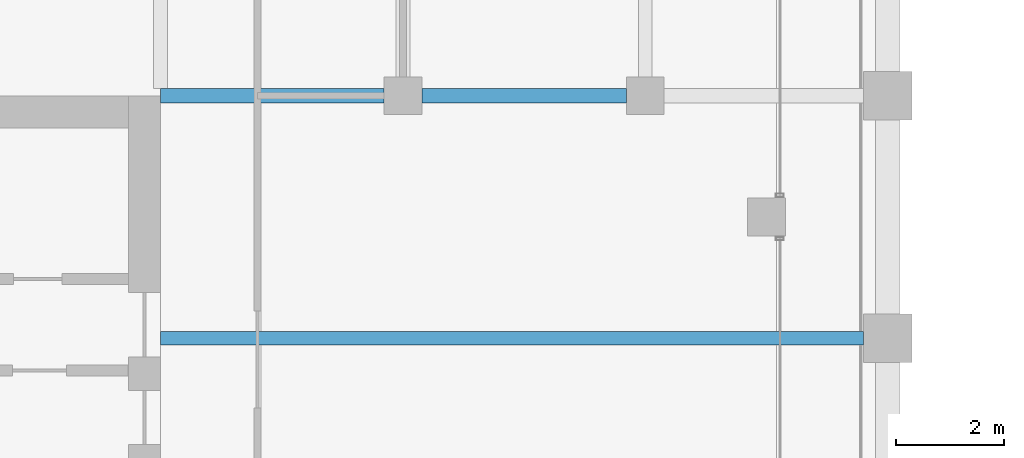
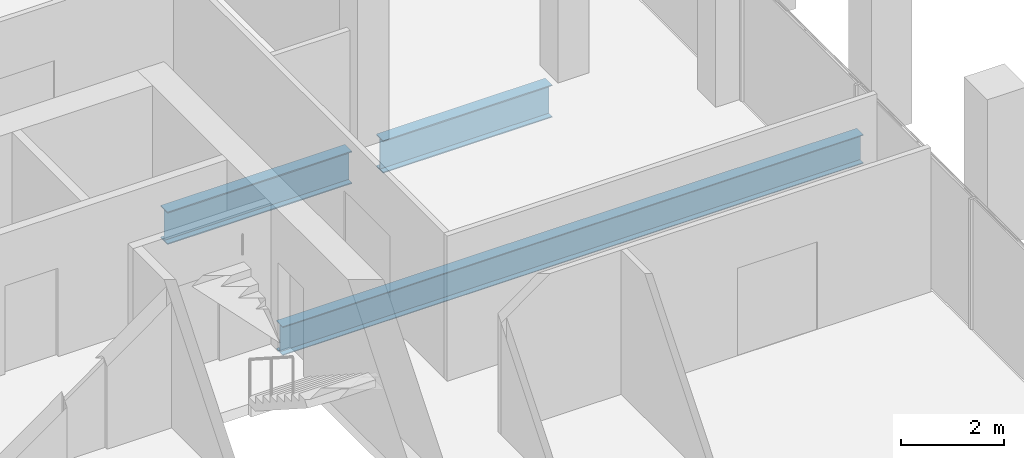
# One storey, part 18 of 40: 3 beams.
"""IFC4 building model written with IfcOpenShell, lengths in metres."""

from ifc_helpers import new_model, si_unit, direction, frame, origin, origin_2d, place, context, subcontext, project, spatial, i_section, extrude, material, material_profile, profile_set, type_object, element, save


model = new_model("IFC4")

# Units and contexts
model_context = context("Model", 3, precision=1e-05, world=origin(), true_north=direction((0.0, 1.0)))
body_context = subcontext(model_context, "Body", "Model", "MODEL_VIEW")
ifc_project = project(units=[si_unit("LENGTHUNIT", "METRE"), si_unit("AREAUNIT", "SQUARE_METRE"), si_unit("VOLUMEUNIT", "CUBIC_METRE"), si_unit("PLANEANGLEUNIT", "RADIAN"), si_unit("MASSUNIT", "GRAM", prefix="KILO")], contexts=[model_context])

# Site, building, storey
site_placement = place(None, origin())
site = spatial("IfcSite", under=ifc_project, at=site_placement, CompositionType="ELEMENT")
building_placement = place(site_placement, origin())
building = spatial("IfcBuilding", under=site, at=building_placement, Name="Altepetl Exchange Towers", CompositionType="ELEMENT")
storey_placement = place(building_placement, frame((0.0, 0.0, 161.800048828125)))
storey = spatial("IfcBuildingStorey", under=building, at=storey_placement, Name="L40", CompositionType="ELEMENT", Elevation=161.800048828125)

# Beams
ifc_material = material(Name="Steel S355", Category="steel")
ifc_material_profile_1 = material_profile(ifc_material, i_section(OverallWidth=0.25390625, OverallDepth=0.68408203125, WebThickness=0.012451171875, FlangeThickness=0.018798828125, at=origin_2d()), Name="W27X94")
ifc_profile_set_1 = profile_set([ifc_material_profile_1], Name="Steel S355")
beam_type_1 = type_object("IfcBeamType", Name="Floor beam W27X94", PredefinedType="BEAM", material=ifc_profile_set_1)
beam_1_placement = place(storey_placement, frame((58.5, 54.0, -0.491943359375), z_axis=(1.0, 0.0, 0.0), x_axis=(0.0, 1.0, 0.0)))
element("IfcBeam", 1, at=beam_1_placement, inside=storey, type_object=beam_type_1, Name="bm:A:L40:011", PredefinedType="BEAM", context=body_context, shape_type="SweptSolid", body=[
    extrude(i_section(OverallWidth=0.25390625, OverallDepth=0.68408203125, WebThickness=0.012451171875, FlangeThickness=0.018798828125, at=origin_2d()), origin(), (0.0, 0.0, 1.0), 13.050048828125),
])
ifc_material_profile_2 = material_profile(ifc_material, i_section(OverallWidth=0.26806640625, OverallDepth=0.77392578125, WebThickness=0.015380859375, FlangeThickness=0.025390625, at=origin_2d()), Name="W30X132")
ifc_profile_set_2 = profile_set([ifc_material_profile_2], Name="Steel S355")
beam_type_2 = type_object("IfcBeamType", Name="Girder W30X132", PredefinedType="BEAM", material=ifc_profile_set_2)
beam_2_placement = place(storey_placement, frame((58.5, 58.5, -0.537109375), z_axis=(1.0, 0.0, 0.0), x_axis=(0.0, 1.0, 0.0)))
element("IfcBeam", 2, at=beam_2_placement, inside=storey, type_object=beam_type_2, Name="gd:A:L40:000", PredefinedType="BEAM", context=body_context, shape_type="SweptSolid", body=[
    extrude(i_section(OverallWidth=0.26806640625, OverallDepth=0.77392578125, WebThickness=0.015380859375, FlangeThickness=0.025390625, at=origin_2d()), origin(), (0.0, 0.0, 1.0), 4.14990234375),
])
beam_3_placement = place(storey_placement, frame((63.35009765625, 58.5, -0.537109375), z_axis=(1.0, 0.0, 0.0), x_axis=(0.0, 1.0, 0.0)))
element("IfcBeam", 3, at=beam_3_placement, inside=storey, type_object=beam_type_2, Name="gd:A:L40:001", PredefinedType="BEAM", context=body_context, shape_type="SweptSolid", body=[
    extrude(i_section(OverallWidth=0.26806640625, OverallDepth=0.77392578125, WebThickness=0.015380859375, FlangeThickness=0.025390625, at=origin_2d()), origin(), (0.0, 0.0, 1.0), 3.7998046875),
])

save(model, "model.ifc")
